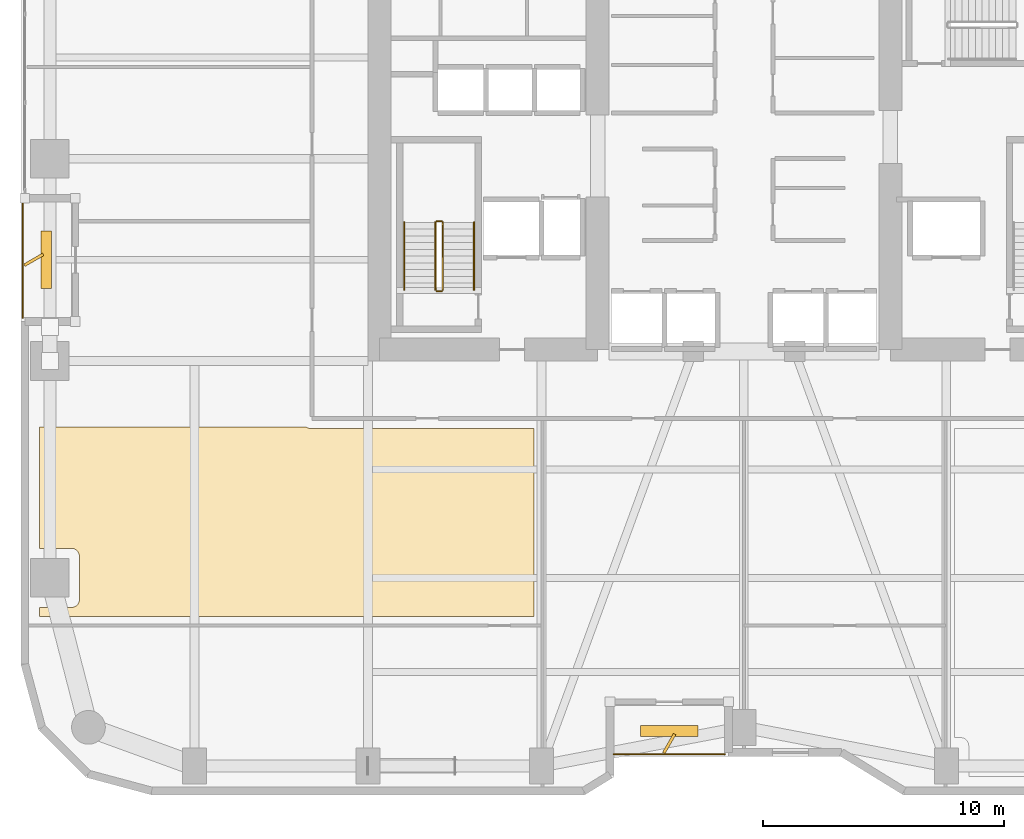
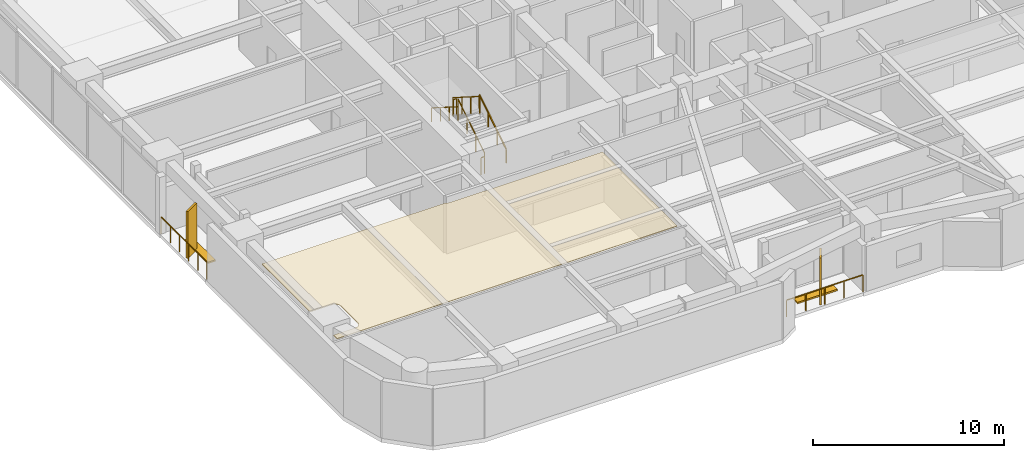
# One storey, part 26 of 28: 8 railings, 4 shading devices, 1 covering.
"""IFC4 building model written with IfcOpenShell, lengths in metres."""

from ifc_helpers import new_model, si_unit, direction, frame, origin, origin_2d, place, context, subcontext, project, spatial, polyline, rectangle, outline, extrude, material, layer, layer_set, type_object, element, save


model = new_model("IFC4")

# Units and contexts
model_context = context("Model", 3, precision=1e-05, world=origin(), true_north=direction((0.0, 1.0)))
body_context = subcontext(model_context, "Body", "Model", "MODEL_VIEW")
ifc_project = project(units=[si_unit("LENGTHUNIT", "METRE"), si_unit("AREAUNIT", "SQUARE_METRE"), si_unit("VOLUMEUNIT", "CUBIC_METRE"), si_unit("PLANEANGLEUNIT", "RADIAN"), si_unit("MASSUNIT", "GRAM", prefix="KILO")], contexts=[model_context])

# Site, building, storey
site_placement = place(None, origin())
site = spatial("IfcSite", under=ifc_project, at=site_placement, CompositionType="ELEMENT")
building_placement = place(site_placement, origin())
building = spatial("IfcBuilding", under=site, at=building_placement, Name="Kiyonajd Concourse Tower", CompositionType="ELEMENT")
storey_placement = place(building_placement, frame((0.0, 0.0, 37.199951171875)))
storey = spatial("IfcBuildingStorey", under=building, at=storey_placement, Name="L10", CompositionType="ELEMENT", Elevation=37.199951171875)

# Covering
ifc_material_1 = material(Name="Natural Oak Acoustic Timber Veneer", Category="wood")
ifc_layer = layer(ifc_material_1, 0.0400390625)
ifc_layer_set = layer_set([ifc_layer], Name="Natural Oak Acoustic Timber Veneer")
covering_type = type_object("IfcCoveringType", Name="CV-CLG-ACST", PredefinedType="CEILING", material=ifc_layer_set)
covering_placement = place(storey_placement, frame((0.0, 0.0, 3.4599609375)))
element("IfcCovering", 1, at=covering_placement, inside=storey, type_object=covering_type, Name="L10-42 Room Acoustic Ceiling", PredefinedType="CEILING", context=body_context, shape_type="SweptSolid", body=[
    extrude(outline(polyline([(29.826904296875, 24.8701171875), (29.882080078125, 24.8359375), (29.945068359375, 24.81005859375), (30.074951171875, 24.7900390625), (39.2900390625, 24.7900390625), (39.2900390625, 17.0), (18.77001953125, 17.0), (18.77001953125, 17.3701171875), (20.080078125, 17.3701171875), (20.14794921875, 17.376953125), (20.2451171875, 17.410888671875), (20.302001953125, 17.448974609375), (20.35107421875, 17.498046875), (20.388916015625, 17.554931640625), (20.4150390625, 17.617919921875), (20.429931640625, 17.719970703125), (20.429931640625, 19.47998046875), (20.4150390625, 19.58203125), (20.388916015625, 19.64501953125), (20.35107421875, 19.701904296875), (20.302001953125, 19.7509765625), (20.2451171875, 19.7890625), (20.181884765625, 19.81494140625), (20.114013671875, 19.827880859375), (18.77001953125, 19.830078125), (18.77001953125, 24.8701171875), (29.826904296875, 24.8701171875)])), origin(), (0.0, 0.0, 1.0), 0.0400390625),
])

# Railings
ifc_material_2 = material(Name="Thermally Broken Anodised Aluminium", Category="aluminium")
railing_type_1 = type_object("IfcRailingType", Name="RL-GRD-LOG", PredefinedType="GUARDRAIL", material=ifc_material_2)
railing_1_placement = place(storey_placement, frame((42.60009765625, 11.280029296875, 0.0)))
element("IfcRailing", 2, at=railing_1_placement, inside=storey, type_object=railing_type_1, Name="L10 Engawa Loggia Perimeter Guard LOG-S", PredefinedType="GUARDRAIL", context=body_context, shape_type="SweptSolid", body=[
    extrude(rectangle(XDim=0.048095703125, YDim=0.048095703125, at=origin_2d()), frame((0.0, 0.0, 1.076171875), z_axis=(1.0, 0.0, 0.0), x_axis=(0.0, 1.0, 0.0)), (0.0, 0.0, 1.0), 4.599853515625),
    extrude(rectangle(XDim=0.0419921875, YDim=0.0419921875, at=origin_2d()), origin(), (0.0, 0.0, 1.0), 1.052001953125),
    extrude(rectangle(XDim=0.0419921875, YDim=0.0419921875, at=origin_2d()), frame((1.14990234375, 0.0, 0.0)), (0.0, 0.0, 1.0), 1.052001953125),
    extrude(rectangle(XDim=0.0419921875, YDim=0.0419921875, at=origin_2d()), frame((2.2998046875, 0.0, 0.0)), (0.0, 0.0, 1.0), 1.052001953125),
    extrude(rectangle(XDim=0.0419921875, YDim=0.0419921875, at=origin_2d()), frame((3.449951171875, 0.0, 0.0)), (0.0, 0.0, 1.0), 1.052001953125),
    extrude(rectangle(XDim=0.0419921875, YDim=0.0419921875, at=origin_2d()), frame((4.599853515625, 0.0, 0.0)), (0.0, 0.0, 1.0), 1.052001953125),
])
railing_2_placement = place(storey_placement, frame((18.080078125, 34.199951171875, 0.0)))
element("IfcRailing", 3, at=railing_2_placement, inside=storey, type_object=railing_type_1, Name="L10 Engawa Loggia Perimeter Guard LOG-W", PredefinedType="GUARDRAIL", context=body_context, shape_type="SweptSolid", body=[
    extrude(rectangle(XDim=0.048095703125, YDim=0.048095703125, at=origin_2d()), frame((0.0, 0.0, 1.076171875), z_axis=(0.0, -1.0, 0.0), x_axis=(1.0, 0.0, 0.0)), (0.0, 0.0, 1.0), 4.800048828125),
    extrude(rectangle(XDim=0.0419921875, YDim=0.0419921875, at=origin_2d()), origin(), (0.0, 0.0, 1.0), 1.052001953125),
    extrude(rectangle(XDim=0.0419921875, YDim=0.0419921875, at=origin_2d()), frame((0.0, -0.9599609375, 0.0)), (0.0, 0.0, 1.0), 1.052001953125),
    extrude(rectangle(XDim=0.0419921875, YDim=0.0419921875, at=origin_2d()), frame((0.0, -1.919921875, 0.0)), (0.0, 0.0, 1.0), 1.052001953125),
    extrude(rectangle(XDim=0.0419921875, YDim=0.0419921875, at=origin_2d()), frame((0.0, -2.880126953125, 0.0)), (0.0, 0.0, 1.0), 1.052001953125),
    extrude(rectangle(XDim=0.0419921875, YDim=0.0419921875, at=origin_2d()), frame((0.0, -3.840087890625, 0.0)), (0.0, 0.0, 1.0), 1.052001953125),
    extrude(rectangle(XDim=0.0419921875, YDim=0.0419921875, at=origin_2d()), frame((0.0, -4.800048828125, 0.0)), (0.0, 0.0, 1.0), 1.052001953125),
])
ifc_material_3 = material(Name="Steel ASTM A500 Grade C", Category="steel")
railing_type_2 = type_object("IfcRailingType", Name="RL-GRD-STR", PredefinedType="GUARDRAIL", material=ifc_material_3)
railing_3_placement = place(storey_placement, frame((35.5, 30.550048828125, 0.17724609375)))
element("IfcRailing", 4, at=railing_3_placement, inside=storey, type_object=railing_type_2, Name="L10 ST1 stair guard 1", PredefinedType="GUARDRAIL", context=body_context, shape_type="SweptSolid", body=[
    extrude(rectangle(XDim=0.048095703125, YDim=0.048095703125, at=origin_2d()), frame((0.0, 0.0, 1.076171875), z_axis=(0.0, 0.844908973607, 0.534910110503), x_axis=(-1.0, 0.0, 0.0)), (0.0, 0.0, 1.0), 3.31396484375),
    extrude(rectangle(XDim=0.0419921875, YDim=0.0419921875, at=origin_2d()), origin(), (0.0, 0.0, 1.0), 1.052001953125),
    extrude(rectangle(XDim=0.0419921875, YDim=0.0419921875, at=origin_2d()), frame((0.0, 0.933349609375, 0.5908203125)), (0.0, 0.0, 1.0), 1.052001953125),
    extrude(rectangle(XDim=0.0419921875, YDim=0.0419921875, at=origin_2d()), frame((0.0, 1.86669921875, 1.181884765625)), (0.0, 0.0, 1.0), 1.052001953125),
    extrude(rectangle(XDim=0.0419921875, YDim=0.0419921875, at=origin_2d()), frame((0.0, 2.800048828125, 1.772705078125)), (0.0, 0.0, 1.0), 1.052001953125),
])
railing_4_placement = place(storey_placement, frame((35.449951171875, 33.39990234375, 1.949951171875)))
element("IfcRailing", 5, at=railing_4_placement, inside=storey, type_object=railing_type_2, Name="L10 ST1 stair guard 2", PredefinedType="GUARDRAIL", context=body_context, shape_type="SweptSolid", body=[
    extrude(rectangle(XDim=0.048095703125, YDim=0.048095703125, at=origin_2d()), frame((0.0, 0.0, 1.076171875), z_axis=(-1.0, 0.0, 0.0), x_axis=(0.0, -1.0, 0.0)), (0.0, 0.0, 1.0), 0.199951171875),
    extrude(rectangle(XDim=0.0419921875, YDim=0.0419921875, at=origin_2d()), origin(), (0.0, 0.0, 1.0), 1.052001953125),
    extrude(rectangle(XDim=0.0419921875, YDim=0.0419921875, at=origin_2d()), frame((-0.199951171875, 0.0, 0.0)), (0.0, 0.0, 1.0), 1.052001953125),
])
railing_5_placement = place(storey_placement, frame((35.199951171875, 33.35009765625, 2.12744140625)))
element("IfcRailing", 6, at=railing_5_placement, inside=storey, type_object=railing_type_2, Name="L10 ST1 stair guard 3", PredefinedType="GUARDRAIL", context=body_context, shape_type="SweptSolid", body=[
    extrude(rectangle(XDim=0.048095703125, YDim=0.048095703125, at=origin_2d()), frame((0.0, 0.0, 1.076171875), z_axis=(0.0, -0.844908973607, 0.534910110503), x_axis=(1.0, 0.0, 0.0)), (0.0, 0.0, 1.0), 3.31396484375),
    extrude(rectangle(XDim=0.0419921875, YDim=0.0419921875, at=origin_2d()), origin(), (0.0, 0.0, 1.0), 1.052001953125),
    extrude(rectangle(XDim=0.0419921875, YDim=0.0419921875, at=origin_2d()), frame((0.0, -0.933349609375, 0.5908203125)), (0.0, 0.0, 1.0), 1.052001953125),
    extrude(rectangle(XDim=0.0419921875, YDim=0.0419921875, at=origin_2d()), frame((0.0, -1.86669921875, 1.181884765625)), (0.0, 0.0, 1.0), 1.052001953125),
    extrude(rectangle(XDim=0.0419921875, YDim=0.0419921875, at=origin_2d()), frame((0.0, -2.800048828125, 1.772705078125)), (0.0, 0.0, 1.0), 1.052001953125),
])
railing_6_placement = place(storey_placement, frame((35.449951171875, 30.5, 0.0)))
element("IfcRailing", 7, at=railing_6_placement, inside=storey, type_object=railing_type_2, Name="L10 ST1 stair guard 4", PredefinedType="GUARDRAIL", context=body_context, shape_type="SweptSolid", body=[
    extrude(rectangle(XDim=0.048095703125, YDim=0.048095703125, at=origin_2d()), frame((0.0, 0.0, 1.076171875), z_axis=(-1.0, 0.0, 0.0), x_axis=(0.0, -1.0, 0.0)), (0.0, 0.0, 1.0), 0.199951171875),
    extrude(rectangle(XDim=0.0419921875, YDim=0.0419921875, at=origin_2d()), origin(), (0.0, 0.0, 1.0), 1.052001953125),
    extrude(rectangle(XDim=0.0419921875, YDim=0.0419921875, at=origin_2d()), frame((-0.199951171875, 0.0, 0.0)), (0.0, 0.0, 1.0), 1.052001953125),
])
ifc_material_4 = material(Name="Brushed Stainless Steel Cab Assembly", Category="steel")
railing_type_3 = type_object("IfcRailingType", Name="RL-HND-900", PredefinedType="HANDRAIL", material=ifc_material_4)
railing_7_placement = place(storey_placement, frame((36.800048828125, 30.550048828125, 0.17724609375)))
element("IfcRailing", 8, at=railing_7_placement, inside=storey, type_object=railing_type_3, Name="L10 ST1 stair handrail 1", PredefinedType="HANDRAIL", context=body_context, shape_type="SweptSolid", body=[
    extrude(rectangle(XDim=0.048095703125, YDim=0.048095703125, at=origin_2d()), frame((0.0, 0.0, 0.8759765625), z_axis=(0.0, 0.844908973607, 0.534910110503), x_axis=(-1.0, 0.0, 0.0)), (0.0, 0.0, 1.0), 3.31396484375),
    extrude(rectangle(XDim=0.0419921875, YDim=0.0419921875, at=origin_2d()), origin(), (0.0, 0.0, 1.0), 0.851806640625),
    extrude(rectangle(XDim=0.0419921875, YDim=0.0419921875, at=origin_2d()), frame((0.0, 0.933349609375, 0.5908203125)), (0.0, 0.0, 1.0), 0.851806640625),
    extrude(rectangle(XDim=0.0419921875, YDim=0.0419921875, at=origin_2d()), frame((0.0, 1.86669921875, 1.181884765625)), (0.0, 0.0, 1.0), 0.851806640625),
    extrude(rectangle(XDim=0.0419921875, YDim=0.0419921875, at=origin_2d()), frame((0.0, 2.800048828125, 1.772705078125)), (0.0, 0.0, 1.0), 0.851806640625),
])
railing_8_placement = place(storey_placement, frame((33.89990234375, 33.35009765625, 2.12744140625)))
element("IfcRailing", 9, at=railing_8_placement, inside=storey, type_object=railing_type_3, Name="L10 ST1 stair handrail 2", PredefinedType="HANDRAIL", context=body_context, shape_type="SweptSolid", body=[
    extrude(rectangle(XDim=0.048095703125, YDim=0.048095703125, at=origin_2d()), frame((0.0, 0.0, 0.8759765625), z_axis=(0.0, -0.844908973607, 0.534910110503), x_axis=(1.0, 0.0, 0.0)), (0.0, 0.0, 1.0), 3.31396484375),
    extrude(rectangle(XDim=0.0419921875, YDim=0.0419921875, at=origin_2d()), origin(), (0.0, 0.0, 1.0), 0.851806640625),
    extrude(rectangle(XDim=0.0419921875, YDim=0.0419921875, at=origin_2d()), frame((0.0, -0.933349609375, 0.5908203125)), (0.0, 0.0, 1.0), 0.851806640625),
    extrude(rectangle(XDim=0.0419921875, YDim=0.0419921875, at=origin_2d()), frame((0.0, -1.86669921875, 1.181884765625)), (0.0, 0.0, 1.0), 0.851806640625),
    extrude(rectangle(XDim=0.0419921875, YDim=0.0419921875, at=origin_2d()), frame((0.0, -2.800048828125, 1.772705078125)), (0.0, 0.0, 1.0), 0.851806640625),
])

# Shading devices
ifc_material_5 = material(Name="Precast concrete C50/60", Category="concrete")
shading_device_type_1 = type_object("IfcShadingDeviceType", Name="SH-FIN-900", PredefinedType="USERDEFINED", material=ifc_material_5)
for number, where, z_axis, x_axis, name in (
    (10, (44.89990234375, 11.72998046875, 0.0), (0.0, 0.0, 1.0), (0.5, 0.866025403784, 0.0), "L10 Angled Koshi Solar Fin LOG-S"),
    (11, (18.530029296875, 31.800048828125, 0.0), (0.0, 0.0, 1.0), (0.866025403784, 0.5, 0.0), "L10 Angled Koshi Solar Fin LOG-W"),
):
    element("IfcShadingDevice", number, at=place(storey_placement, frame(where, z_axis=z_axis, x_axis=x_axis)), inside=storey, type_object=shading_device_type_1, Name=name, ObjectType="FIN", PredefinedType="USERDEFINED", context=body_context, shape_type="SweptSolid", body=[
        extrude(rectangle(XDim=0.89990234375, YDim=0.1201171875, at=origin_2d()), origin(), (0.0, 0.0, 1.0), 3.0),
    ])
shading_device_type_2 = type_object("IfcShadingDeviceType", Name="SH-LVR-600", PredefinedType="JALOUSIE", material=ifc_material_2)
for number, where, z_axis, x_axis, name in (
    (12, (44.89990234375, 12.25, 0.0), (0.0, 0.0, 1.0), (1.0, 0.0, 0.0), "L10 Loggia Threshold Louver LOG-S"),
    (13, (19.050048828125, 31.800048828125, 0.0), (0.0, 0.0, 1.0), (0.0, 1.0, 0.0), "L10 Loggia Threshold Louver LOG-W"),
):
    element("IfcShadingDevice", number, at=place(storey_placement, frame(where, z_axis=z_axis, x_axis=x_axis)), inside=storey, type_object=shading_device_type_2, Name=name, PredefinedType="JALOUSIE", context=body_context, shape_type="SweptSolid", body=[
        extrude(rectangle(XDim=2.39990234375, YDim=0.449951171875, at=origin_2d()), origin(), (0.0, 0.0, 1.0), 0.10009765625),
    ])

save(model, "model.ifc")
